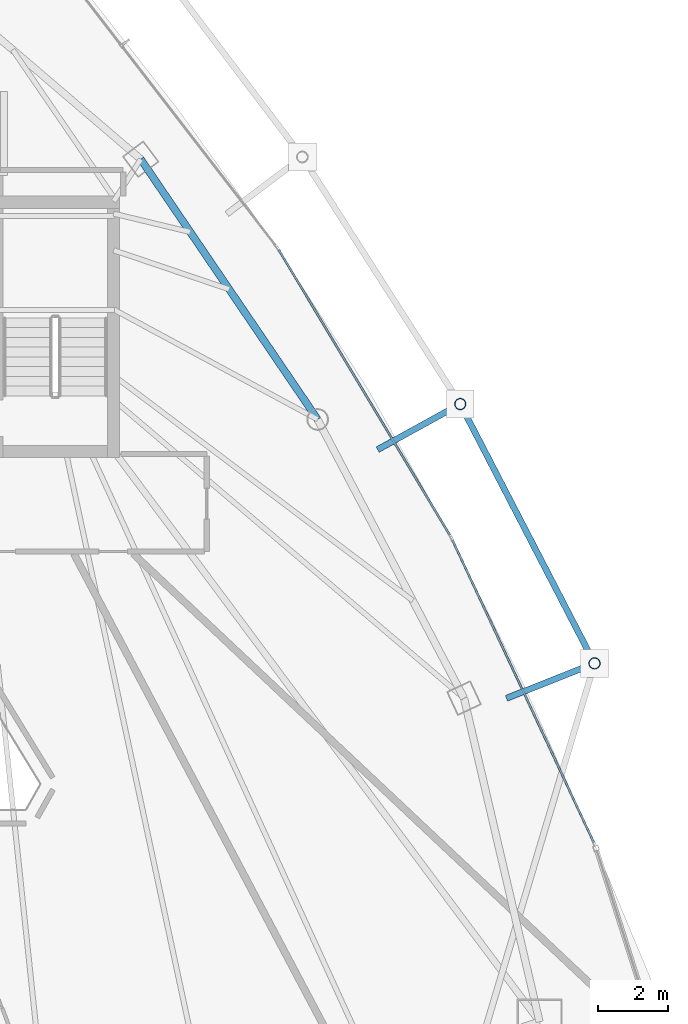
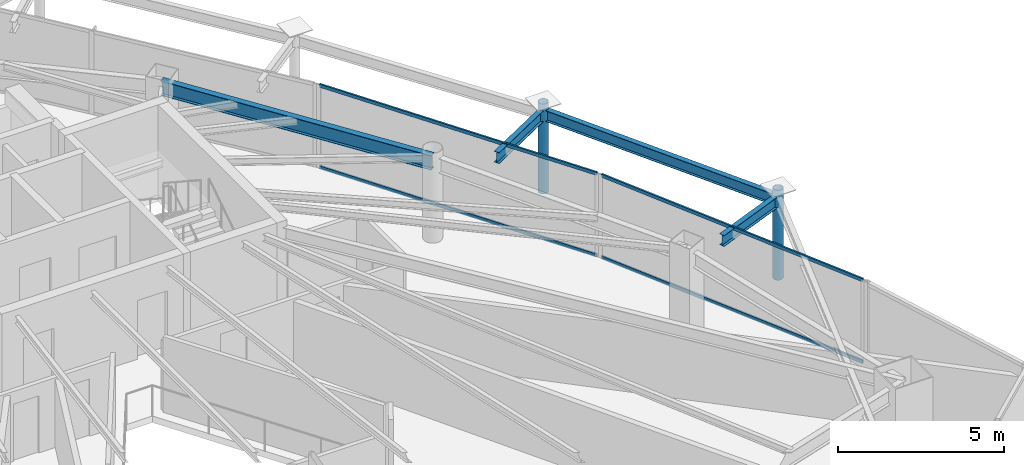
# One storey, part 18 of 29: 6 members, 4 beams, 2 elements without a shape of their own.
"""IFC4 building model written with IfcOpenShell, lengths in metres."""

from ifc_helpers import new_model, si_unit, direction, frame, origin, origin_2d, place, context, subcontext, project, spatial, hollow_rectangle, hollow_circle, i_section, extrude, material, layer, layer_set, material_profile, profile_set, type_object, element, aggregate, save


model = new_model("IFC4")

# Units and contexts
model_context = context("Model", 3, precision=1e-05, world=origin(), true_north=direction((0.0, 1.0)))
body_context = subcontext(model_context, "Body", "Model", "MODEL_VIEW")
ifc_project = project(units=[si_unit("LENGTHUNIT", "METRE"), si_unit("AREAUNIT", "SQUARE_METRE"), si_unit("VOLUMEUNIT", "CUBIC_METRE"), si_unit("PLANEANGLEUNIT", "RADIAN"), si_unit("MASSUNIT", "GRAM", prefix="KILO")], contexts=[model_context])

# Site, building, storey
site_placement = place(None, origin())
site = spatial("IfcSite", under=ifc_project, at=site_placement, CompositionType="ELEMENT")
building_placement = place(site_placement, origin())
building = spatial("IfcBuilding", under=site, at=building_placement, Name="Orvanel Arch Residences", CompositionType="ELEMENT")
storey_placement = place(building_placement, frame((0.0, 0.0, 246.949951171875)))
storey = spatial("IfcBuildingStorey", under=building, at=storey_placement, Name="L70", CompositionType="ELEMENT", Elevation=246.949951171875)

# Beams
ifc_material_1 = material(Name="Structural steel AS/NZS 3679.1 Grade 300 (300 MPa)", Category="steel")
ifc_material_profile_1 = material_profile(ifc_material_1, i_section(OverallWidth=0.177978515625, OverallDepth=0.406005859375, WebThickness=0.0078125, FlangeThickness=0.0126953125, at=origin_2d()), Name="410UB59.7")
ifc_profile_set_1 = profile_set([ifc_material_profile_1], Name="Structural steel AS/NZS 3679.1 Grade 300 (300 MPa)")
beam_type_1 = type_object("IfcBeamType", Name="OB-410UB-EXT", PredefinedType="SPANDREL", material=ifc_profile_set_1)
beam_1_placement = place(storey_placement, frame((50.85205078125, 19.635986328125, 2.85693359375), z_axis=(0.929390051533, 0.369099081698, 0.0), x_axis=(-0.369099081698, 0.929390051533, 0.0)))
element("IfcBeam", 1, at=beam_1_placement, inside=storey, type_object=beam_type_1, Name="L70 Outer Frame Radial Tie Beam 09", PredefinedType="SPANDREL", context=body_context, shape_type="SweptSolid", body=[
    extrude(i_section(OverallWidth=0.177978515625, OverallDepth=0.406005859375, WebThickness=0.0078125, FlangeThickness=0.0126953125, at=origin_2d()), origin(), (0.0, 0.0, 1.0), 2.719970703125),
])
beam_2_placement = place(storey_placement, frame((53.3798828125, 20.639892578125, 2.85693359375), z_axis=(-0.459762791998, 0.888041764273, 0.0), x_axis=(-0.888041764273, -0.459762791998, 0.0)))
element("IfcBeam", 2, at=beam_2_placement, inside=storey, type_object=beam_type_1, Name="L70 Outer Perimeter Floor Ring Beam 09", PredefinedType="SPANDREL", context=body_context, shape_type="SweptSolid", body=[
    extrude(i_section(OverallWidth=0.177978515625, OverallDepth=0.406005859375, WebThickness=0.0078125, FlangeThickness=0.0126953125, at=origin_2d()), origin(), (0.0, 0.0, 1.0), 8.382568359375),
])
beam_3_placement = place(storey_placement, frame((47.153076171875, 26.77587890625, 2.85693359375), z_axis=(0.875737969858, 0.482786710824, 0.0), x_axis=(-0.482786710824, 0.875737969858, 0.0)))
element("IfcBeam", 3, at=beam_3_placement, inside=storey, type_object=beam_type_1, Name="L70 Outer Frame Radial Tie Beam 10", PredefinedType="SPANDREL", context=body_context, shape_type="SweptSolid", body=[
    extrude(i_section(OverallWidth=0.177978515625, OverallDepth=0.406005859375, WebThickness=0.0078125, FlangeThickness=0.0126953125, at=origin_2d()), origin(), (0.0, 0.0, 1.0), 2.70947265625),
])
ifc_material_profile_2 = material_profile(ifc_material_1, i_section(OverallWidth=0.208984375, OverallDepth=0.532958984375, WebThickness=0.01025390625, FlangeThickness=0.015625, at=origin_2d()), Name="530UB92.4")
ifc_profile_set_2 = profile_set([ifc_material_profile_2], Name="Structural steel AS/NZS 3679.1 Grade 300 (300 MPa)")
beam_type_2 = type_object("IfcBeamType", Name="SP-530UB", PredefinedType="SPANDREL", material=ifc_profile_set_2)
beam_4_placement = place(storey_placement, frame((45.430908203125, 27.64111328125, 2.79296875), z_axis=(-0.562154793153, 0.827032035978, 0.0), x_axis=(-0.827032035978, -0.562154793153, 0.0)))
element("IfcBeam", 4, at=beam_4_placement, inside=storey, type_object=beam_type_2, Name="L70 Perimeter Spandrel Beam 08", PredefinedType="SPANDREL", context=body_context, shape_type="SweptSolid", body=[
    extrude(i_section(OverallWidth=0.208984375, OverallDepth=0.532958984375, WebThickness=0.01025390625, FlangeThickness=0.015625, at=origin_2d()), origin(), (0.0, 0.0, 1.0), 9.03466796875),
])

# Members
ifc_material_2 = material(Name="Structural steel AS/NZS 1163 C350L0 (Grade 350)", Category="steel")
ifc_material_profile_3 = material_profile(ifc_material_2, hollow_circle(Radius=0.162109375, WallThickness=0.0126953125, at=origin_2d()), Name="CHS324x12.7")
ifc_profile_set_3 = profile_set([ifc_material_profile_3], Name="Structural steel AS/NZS 1163 C350L0 (Grade 350)")
member_type_1 = type_object("IfcMemberType", Name="ST-324CHS-EXT", PredefinedType="STRUT", material=ifc_profile_set_3)
for number, where, z_axis, x_axis, name in (
    (5, (53.3798828125, 20.639892578125, 0.0), (0.0, 0.0, 1.0), (1.0, 0.0, 0.0), "L70 Outer Perimeter Frame Post 09"),
    (6, (49.52587890625, 28.083984375, 0.0), (0.0, 0.0, 1.0), (1.0, 0.0, 0.0), "L70 Outer Perimeter Frame Post 10"),
):
    element("IfcMember", number, at=place(storey_placement, frame(where, z_axis=z_axis, x_axis=x_axis)), inside=storey, type_object=member_type_1, Name=name, PredefinedType="STRUT", context=body_context, shape_type="SweptSolid", body=[
        extrude(hollow_circle(Radius=0.162109375, WallThickness=0.0126953125, at=origin_2d()), origin(), (0.0, 0.0, 1.0), 3.300048828125),
    ])

# Curtain wall, members
ifc_material_3 = material(Name="Bronze-anodised aluminium AA6063-T6", Category="aluminium")
ifc_layer = layer(ifc_material_3, 0.175048828125)
ifc_layer_set = layer_set([ifc_layer], Name="Bronze-anodised aluminium AA6063-T6")
curtain_wall_type = type_object("IfcCurtainWallType", Name="CW4-HI-SYS", PredefinedType="NOTDEFINED", material=ifc_layer_set)
curtain_wall_1_placement = place(storey_placement, origin())
curtain_wall_1 = element("IfcCurtainWall", 7, at=curtain_wall_1_placement, inside=storey, type_object=curtain_wall_type, Name="L70 CW4-HI-SYS Unitised Curtain Wall", PredefinedType="NOTDEFINED")
ifc_material_profile_4 = material_profile(ifc_material_3, hollow_rectangle(XDim=0.06005859375, YDim=0.1201171875, WallThickness=0.00341796875, at=origin_2d()), Name="ALU120x60x3.5")
ifc_profile_set_4 = profile_set([ifc_material_profile_4], Name="Bronze-anodised aluminium AA6063-T6")
member_type_2 = type_object("IfcMemberType", Name="TRN-120x60", PredefinedType="USERDEFINED", material=ifc_profile_set_4)
member_1_placement = place(storey_placement, frame((53.3583984375, 15.5, 0.030029296875), z_axis=(-0.423455828106, 0.905916752049, 0.0), x_axis=(-0.905916752049, -0.423455828106, 0.0)))
member_1 = element("IfcMember", 8, at=member_1_placement, type_object=member_type_2, Name="CW-S4 transom 1.1", ObjectType="TRANSOM", PredefinedType="USERDEFINED", context=body_context, shape_type="SweptSolid", body=[
    extrude(hollow_rectangle(XDim=0.06005859375, YDim=0.1201171875, WallThickness=0.00341796875, at=origin_2d()), origin(), (0.0, 0.0, 1.0), 9.582763671875),
])
member_2_placement = place(storey_placement, frame((53.3583984375, 15.5, 3.030029296875), z_axis=(-0.423455828106, 0.905916752049, 0.0), x_axis=(-0.905916752049, -0.423455828106, 0.0)))
member_2 = element("IfcMember", 9, at=member_2_placement, type_object=member_type_2, Name="CW-S4 transom 1.2", ObjectType="TRANSOM", PredefinedType="USERDEFINED", context=body_context, shape_type="SweptSolid", body=[
    extrude(hollow_rectangle(XDim=0.06005859375, YDim=0.1201171875, WallThickness=0.00341796875, at=origin_2d()), origin(), (0.0, 0.0, 1.0), 9.582763671875),
])
aggregate(curtain_wall_1, [member_1, member_2])

curtain_wall_2_placement = place(storey_placement, origin())
curtain_wall_2 = element("IfcCurtainWall", 10, at=curtain_wall_2_placement, inside=storey, type_object=curtain_wall_type, Name="L70 CW4-HI-SYS Unitised Curtain Wall", PredefinedType="NOTDEFINED")
member_3_placement = place(storey_placement, frame((49.2216796875, 24.330810546875, 0.030029296875), z_axis=(-0.514488221049, 0.857497446295, 0.0), x_axis=(-0.857497446295, -0.514488221049, 0.0)))
member_3 = element("IfcMember", 11, at=member_3_placement, type_object=member_type_2, Name="CW-S4 transom 1.1", ObjectType="TRANSOM", PredefinedType="USERDEFINED", context=body_context, shape_type="SweptSolid", body=[
    extrude(hollow_rectangle(XDim=0.06005859375, YDim=0.1201171875, WallThickness=0.00341796875, at=origin_2d()), origin(), (0.0, 0.0, 1.0), 9.530517578125),
])
member_4_placement = place(storey_placement, frame((49.2216796875, 24.330810546875, 3.030029296875), z_axis=(-0.514488221049, 0.857497446295, 0.0), x_axis=(-0.857497446295, -0.514488221049, 0.0)))
member_4 = element("IfcMember", 12, at=member_4_placement, type_object=member_type_2, Name="CW-S4 transom 1.2", ObjectType="TRANSOM", PredefinedType="USERDEFINED", context=body_context, shape_type="SweptSolid", body=[
    extrude(hollow_rectangle(XDim=0.06005859375, YDim=0.1201171875, WallThickness=0.00341796875, at=origin_2d()), origin(), (0.0, 0.0, 1.0), 9.530517578125),
])
aggregate(curtain_wall_2, [member_3, member_4])

save(model, "model.ifc")
